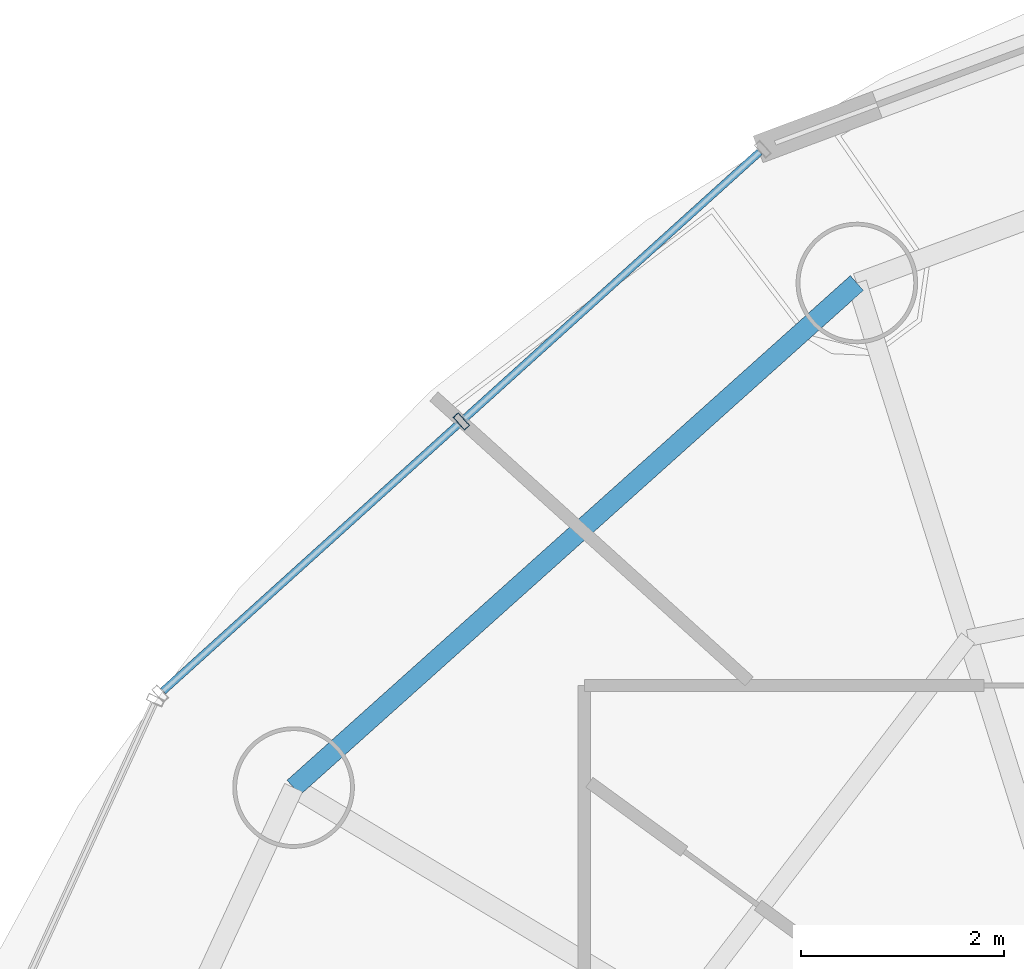
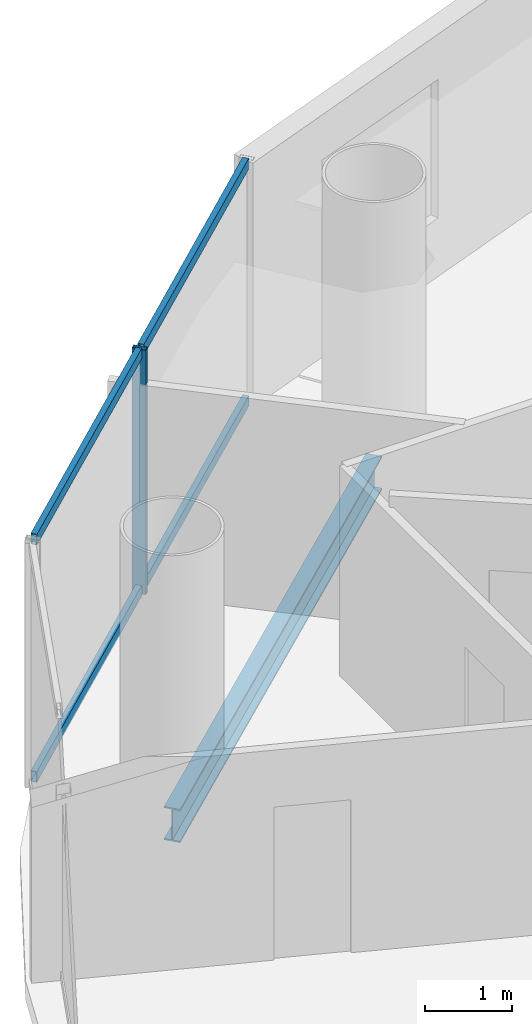
# One storey, part 14 of 27: 5 members, 1 beam, 1 element without a shape of its own.
"""IFC4 building model written with IfcOpenShell, lengths in metres."""

from ifc_helpers import new_model, si_unit, direction, frame, origin, origin_2d, place, context, subcontext, project, spatial, hollow_rectangle, i_section, extrude, source, transform, mapped, material, material_profile, profile_set, type_object, element, aggregate, save


model = new_model("IFC4")

# Units and contexts
model_context = context("Model", 3, precision=1e-05, world=origin(), true_north=direction((-0.2419218956, 0.970295726276)))
body_context = subcontext(model_context, "Body", "Model", "MODEL_VIEW")
ifc_project = project(units=[si_unit("LENGTHUNIT", "METRE"), si_unit("AREAUNIT", "SQUARE_METRE"), si_unit("VOLUMEUNIT", "CUBIC_METRE"), si_unit("PLANEANGLEUNIT", "RADIAN"), si_unit("MASSUNIT", "GRAM", prefix="KILO")], contexts=[model_context])

# Site, building, storey
site_placement = place(None, origin())
site = spatial("IfcSite", under=ifc_project, at=site_placement, CompositionType="ELEMENT")
building_placement = place(site_placement, origin())
building = spatial("IfcBuilding", under=site, at=building_placement, Name="Cobrevalo Terracotta Tower", CompositionType="ELEMENT")
storey_placement = place(building_placement, frame((0.0, 0.0, 191.199951171875)))
storey = spatial("IfcBuildingStorey", under=building, at=storey_placement, Name="L50", CompositionType="ELEMENT", Elevation=191.199951171875)

# Beam
ifc_material_1 = material(Name="Steel S355", Category="steel")
ifc_material_profile_1 = material_profile(ifc_material_1, i_section(OverallWidth=0.194091796875, OverallDepth=0.468994140625, WebThickness=0.011474609375, FlangeThickness=0.0205078125, at=origin_2d()), Name="W 460x106")
ifc_profile_set_1 = profile_set([ifc_material_profile_1], Name="Steel S355")
beam_type = type_object("IfcBeamType", Name="Structural Spandrel W 460x106 (Steel S355)", PredefinedType="SPANDREL", material=ifc_profile_set_1)
beam_placement = place(storey_placement, frame((26.80517578125, 41.80810546875, -0.49951171875), z_axis=(-0.744851930997, -0.667229796165, 0.0), x_axis=(0.667229796165, -0.744851930997, 0.0)))
element("IfcBeam", 1, at=beam_placement, inside=storey, type_object=beam_type, Name="L50 perimeter ring spandrel 06", PredefinedType="SPANDREL", context=body_context, shape_type="SweptSolid", body=[
    extrude(i_section(OverallWidth=0.194091796875, OverallDepth=0.468994140625, WebThickness=0.011474609375, FlangeThickness=0.0205078125, at=origin_2d()), origin(), (0.0, 0.0, 1.0), 7.463623046875),
])

# Curtain wall, members
ifc_material_2 = material(Name="Anodized aluminium", Category="aluminium")
curtain_wall_type = type_object("IfcCurtainWallType", Name="Mid-tower high-wind unitised curtain wall CW-U2", PredefinedType="NOTDEFINED", material=ifc_material_2)
curtain_wall_placement = place(storey_placement, origin())
curtain_wall = element("IfcCurtainWall", 2, at=curtain_wall_placement, inside=storey, type_object=curtain_wall_type, Name="L50 curtain wall CW-L50-S06", PredefinedType="NOTDEFINED")
ifc_material_profile_2 = material_profile(ifc_material_2, hollow_rectangle(XDim=0.074951171875, YDim=0.14990234375, WallThickness=0.00439453125, at=origin_2d()), Name="CWT 75x150")
ifc_profile_set_2 = profile_set([ifc_material_profile_2], Name="Anodized aluminium")
member_type_1 = type_object("IfcMemberType", Name="Tower unitised aluminium transom 75x150", PredefinedType="USERDEFINED", material=ifc_profile_set_2)
shared_shape_1 = source(origin(), body_context, "Body", "SweptSolid", [
    extrude(hollow_rectangle(XDim=0.074951171875, YDim=0.14990234375, WallThickness=0.00439453125, at=origin_2d()), origin(), (0.0, 0.0, 1.0), 3.927490234375),
])
member_1_placement = place(storey_placement, frame((22.872314453125, 40.414794921875, 0.050048828125), z_axis=(-0.741975952623, -0.670426495396, 0.0), x_axis=(0.670426495396, -0.741975952623, 0.0)))
member_1 = element("IfcMember", 3, at=member_1_placement, type_object=member_type_1, Name="CW-L50-S06 transom B02-T1", ObjectType="TRANSOM", PredefinedType="USERDEFINED", context=body_context, shape_type="MappedRepresentation", body=[
    mapped(shared_shape_1, transform((0.0, 0.0, 0.0), scale=1.0)),
])
member_2_placement = place(storey_placement, frame((22.872314453125, 40.414794921875, 3.385009765625), z_axis=(-0.741975952623, -0.670426495396, 0.0), x_axis=(0.670426495396, -0.741975952623, 0.0)))
member_2 = element("IfcMember", 4, at=member_2_placement, type_object=member_type_1, Name="CW-L50-S06 transom B02-T2", ObjectType="TRANSOM", PredefinedType="USERDEFINED", context=body_context, shape_type="MappedRepresentation", body=[
    mapped(shared_shape_1, transform((0.0, 0.0, 0.0), scale=1.0)),
])
shared_shape_2 = source(origin(), body_context, "Body", "SweptSolid", [
    extrude(hollow_rectangle(XDim=0.074951171875, YDim=0.14990234375, WallThickness=0.00439453125, at=origin_2d()), origin(), (0.0, 0.0, 1.0), 3.927734375),
])
member_3_placement = place(storey_placement, frame((25.845947265625, 43.101318359375, 0.050048828125), z_axis=(-0.742003891138, -0.670395573923, 0.0), x_axis=(0.670395573923, -0.742003891138, 0.0)))
member_3 = element("IfcMember", 5, at=member_3_placement, type_object=member_type_1, Name="CW-L50-S06 transom B01-T1", ObjectType="TRANSOM", PredefinedType="USERDEFINED", context=body_context, shape_type="MappedRepresentation", body=[
    mapped(shared_shape_2, transform((0.0, 0.0, 0.0), scale=1.0)),
])
member_4_placement = place(storey_placement, frame((25.845947265625, 43.101318359375, 3.385009765625), z_axis=(-0.742003891138, -0.670395573923, 0.0), x_axis=(0.670395573923, -0.742003891138, 0.0)))
member_4 = element("IfcMember", 6, at=member_4_placement, type_object=member_type_1, Name="CW-L50-S06 transom B01-T2", ObjectType="TRANSOM", PredefinedType="USERDEFINED", context=body_context, shape_type="MappedRepresentation", body=[
    mapped(shared_shape_2, transform((0.0, 0.0, 0.0), scale=1.0)),
])
ifc_material_profile_3 = material_profile(ifc_material_2, hollow_rectangle(XDim=0.070068359375, YDim=0.169921875, WallThickness=0.00439453125, at=origin_2d()), Name="CWM 70x170")
ifc_profile_set_3 = profile_set([ifc_material_profile_3], Name="Anodized aluminium")
member_type_2 = type_object("IfcMemberType", Name="Upper tower unitised mullion 70x170", PredefinedType="MULLION", material=ifc_profile_set_3)
shared_shape_3 = source(origin(), body_context, "Body", "SweptSolid", [
    extrude(hollow_rectangle(XDim=0.070068359375, YDim=0.169921875, WallThickness=0.00439453125, at=origin_2d()), origin(), (0.0, 0.0, 1.0), 3.43505859375),
])
member_5_placement = place(storey_placement, frame((22.902099609375, 40.441650390625, 0.0), z_axis=(0.0, 0.0, 1.0), x_axis=(-0.741987542015, -0.670413668935, 0.0)))
member_5 = element("IfcMember", 7, at=member_5_placement, type_object=member_type_2, Name="CW-L50-S06 vertical mullion 02", PredefinedType="MULLION", context=body_context, shape_type="MappedRepresentation", body=[
    mapped(shared_shape_3, transform((0.0, 0.0, 0.0), scale=1.0)),
])
aggregate(curtain_wall, [member_5, member_3, member_4, member_1, member_2])

save(model, "model.ifc")
